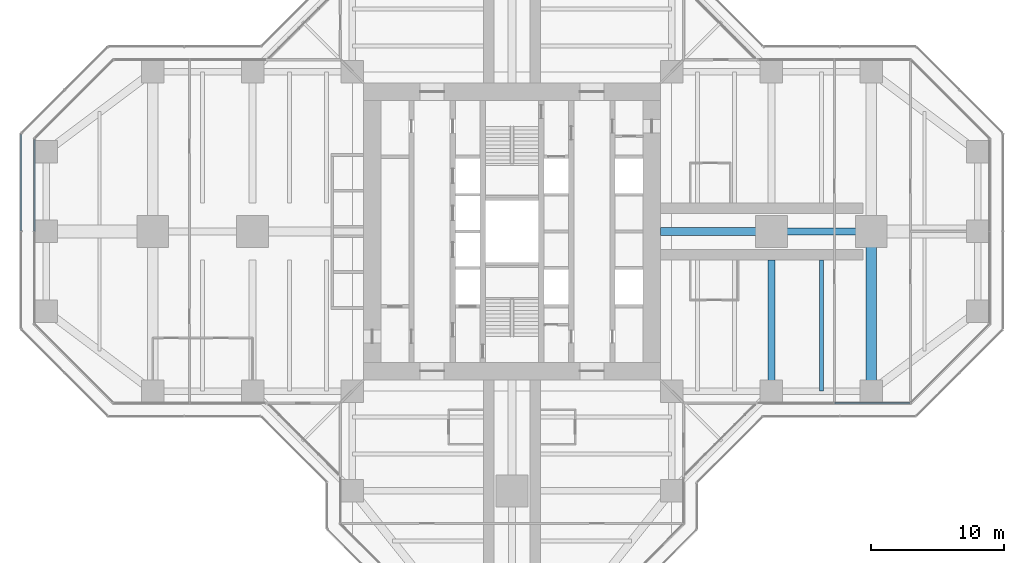
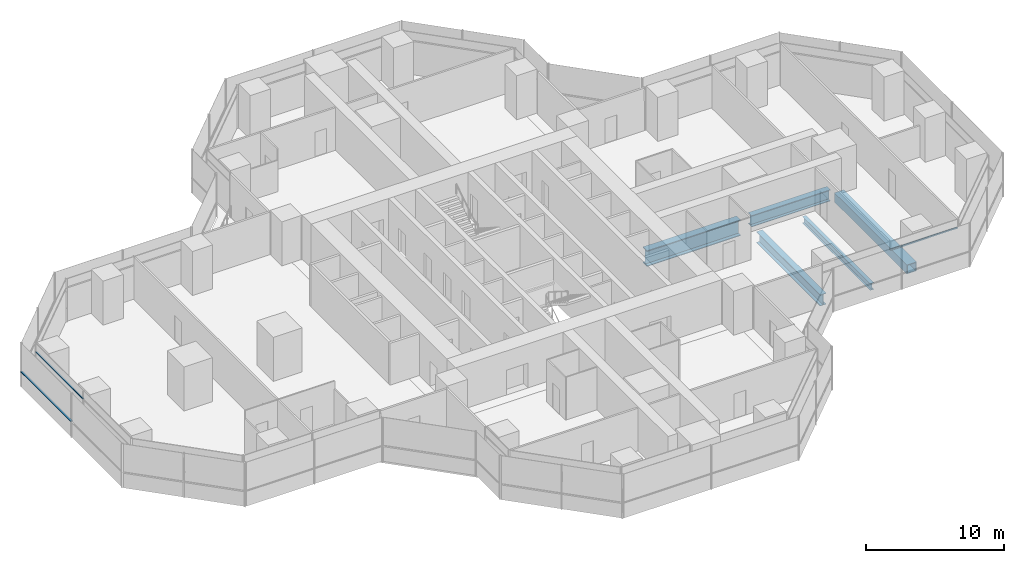
# One storey, part 6 of 20: 5 beams, 3 members, 3 elements without a shape of their own.
"""IFC4 building model written with IfcOpenShell, lengths in metres."""

from ifc_helpers import new_model, si_unit, direction, frame, origin, origin_2d, place, context, subcontext, project, spatial, rectangle, hollow_rectangle, i_section, extrude, material, material_profile, profile_set, type_object, element, aggregate, save


model = new_model("IFC4")

# Units and contexts
model_context = context("Model", 3, precision=1e-05, world=origin(), true_north=direction((0.0, 1.0)))
body_context = subcontext(model_context, "Body", "Model", "MODEL_VIEW")
ifc_project = project(units=[si_unit("LENGTHUNIT", "METRE"), si_unit("AREAUNIT", "SQUARE_METRE"), si_unit("VOLUMEUNIT", "CUBIC_METRE"), si_unit("PLANEANGLEUNIT", "RADIAN"), si_unit("MASSUNIT", "GRAM", prefix="KILO")], contexts=[model_context])

# Site, building, storey
site_placement = place(None, origin())
site = spatial("IfcSite", under=ifc_project, at=site_placement, CompositionType="ELEMENT")
building_placement = place(site_placement, origin())
building = spatial("IfcBuilding", under=site, at=building_placement, Name="Mizan Broadcast Tower", CompositionType="ELEMENT")
storey_placement = place(building_placement, frame((0.0, 0.0, 190.5)))
storey = spatial("IfcBuildingStorey", under=building, at=storey_placement, Name="L44", CompositionType="ELEMENT", Elevation=190.5)

# Beams
ifc_material_1 = material(Name="Steel S460", Category="steel")
ifc_material_profile_1 = material_profile(ifc_material_1, hollow_rectangle(XDim=0.800048828125, YDim=0.800048828125, WallThickness=0.050048828125, at=origin_2d()), Name="BOX 800x800x50")
ifc_profile_set_1 = profile_set([ifc_material_profile_1], Name="Steel S460")
beam_type_1 = type_object("IfcBeamType", Name="GIRDER BOX 800x800x50", PredefinedType="BEAM", material=ifc_profile_set_1)
beam_1_placement = place(storey_placement, frame((27.0, -11.280029296875, -0.530029296875), z_axis=(0.0, 1.0, 0.0), x_axis=(-1.0, 0.0, 0.0)))
element("IfcBeam", 1, at=beam_1_placement, inside=storey, type_object=beam_type_1, Name="Girder BOX 800x800x50 L44 east arm", PredefinedType="BEAM", context=body_context, shape_type="SweptSolid", body=[
    extrude(hollow_rectangle(XDim=0.800048828125, YDim=0.800048828125, WallThickness=0.050048828125, at=origin_2d()), origin(), (0.0, 0.0, 1.0), 10.56005859375),
])
ifc_material_2 = material(Name="Steel S460", Category="steel")
ifc_material_profile_2 = material_profile(ifc_material_2, i_section(OverallWidth=0.5, OverallDepth=1.0, WebThickness=0.02490234375, FlangeThickness=0.050048828125, at=origin_2d()), Name="WPG 1000x500")
ifc_profile_set_2 = profile_set([ifc_material_profile_2], Name="Steel S460")
beam_type_2 = type_object("IfcBeamType", Name="GIRDER WPG 1000x500", PredefinedType="BEAM", material=ifc_profile_set_2)
beam_2_placement = place(storey_placement, frame((19.949951171875, 0.0, -0.6298828125), z_axis=(1.0, 0.0, 0.0), x_axis=(0.0, 1.0, 0.0)))
element("IfcBeam", 2, at=beam_2_placement, inside=storey, type_object=beam_type_2, Name="Girder WPG 1000x500 L44 east arm", PredefinedType="BEAM", context=body_context, shape_type="SweptSolid", body=[
    extrude(i_section(OverallWidth=0.5, OverallDepth=1.0, WebThickness=0.02490234375, FlangeThickness=0.050048828125, at=origin_2d()), origin(), (0.0, 0.0, 1.0), 6.60009765625),
])
beam_3_placement = place(storey_placement, frame((19.5, -11.408935546875, -0.6298828125), z_axis=(0.0, 1.0, 0.0), x_axis=(-1.0, 0.0, 0.0)))
element("IfcBeam", 3, at=beam_3_placement, inside=storey, type_object=beam_type_2, Name="Girder WPG 1000x500 L44 east arm", PredefinedType="BEAM", context=body_context, shape_type="SweptSolid", body=[
    extrude(i_section(OverallWidth=0.5, OverallDepth=1.0, WebThickness=0.02490234375, FlangeThickness=0.050048828125, at=origin_2d()), origin(), (0.0, 0.0, 1.0), 9.259033203125),
])
ifc_material_3 = material(Name="Steel S460", Category="steel")
ifc_material_profile_3 = material_profile(ifc_material_3, i_section(OverallWidth=0.60009765625, OverallDepth=1.39990234375, WebThickness=0.02490234375, FlangeThickness=0.06005859375, at=origin_2d()), Name="WPG 1400x600")
ifc_profile_set_3 = profile_set([ifc_material_profile_3], Name="Steel S460")
beam_type_3 = type_object("IfcBeamType", Name="GIRDER WPG 1400x600", PredefinedType="BEAM", material=ifc_profile_set_3)
beam_4_placement = place(storey_placement, frame((11.14990234375, 0.0, -0.830078125), z_axis=(1.0, 0.0, 0.0), x_axis=(0.0, 1.0, 0.0)))
element("IfcBeam", 4, at=beam_4_placement, inside=storey, type_object=beam_type_3, Name="Girder WPG 1400x600 L44 east arm", PredefinedType="BEAM", context=body_context, shape_type="SweptSolid", body=[
    extrude(i_section(OverallWidth=0.60009765625, OverallDepth=1.39990234375, WebThickness=0.02490234375, FlangeThickness=0.06005859375, at=origin_2d()), origin(), (0.0, 0.0, 1.0), 7.84912109375),
])

# Curtain wall, member
ifc_material_4 = material(Name="Aluminium framed glazing", Category="aluminium")
curtain_wall_type_1 = type_object("IfcCurtainWallType", Name="INNER SKIN MID ZONE", PredefinedType="USERDEFINED", material=ifc_material_4)
curtain_wall_1_placement = place(storey_placement, origin())
curtain_wall_1 = element("IfcCurtainWall", 5, at=curtain_wall_1_placement, inside=storey, type_object=curtain_wall_type_1, Name="Inner skin mid zone L44 E side", ObjectType="INNER SKIN MID ZONE", PredefinedType="USERDEFINED")
ifc_material_5 = material(Name="Aluminium, pale anodised", Category="aluminium")
ifc_material_profile_4 = material_profile(ifc_material_5, rectangle(XDim=0.1201171875, YDim=0.06005859375, at=origin_2d()), Name="TRANSOM 120x60")
ifc_profile_set_4 = profile_set([ifc_material_profile_4], Name="Aluminium, pale anodised")
member_type_1 = type_object("IfcMemberType", Name="INNER SKIN TRANSOM 60x120", PredefinedType="USERDEFINED", material=ifc_profile_set_4)
member_1_placement = place(storey_placement, frame((24.25927734375, -12.89990234375, 3.030029296875), z_axis=(1.0, 0.0, 0.0), x_axis=(0.0, 1.0, 0.0)))
member_1 = element("IfcMember", 6, at=member_1_placement, type_object=member_type_1, Name="Inner skin mid zone L44 E side transom 2.1", ObjectType="TRANSOM", PredefinedType="USERDEFINED", context=body_context, shape_type="SweptSolid", body=[
    extrude(rectangle(XDim=0.1201171875, YDim=0.06005859375, at=origin_2d()), origin(), (0.0, 0.0, 1.0), 5.639404296875),
])
aggregate(curtain_wall_1, [member_1])

curtain_wall_2_placement = place(storey_placement, origin())
curtain_wall_2 = element("IfcCurtainWall", 7, at=curtain_wall_2_placement, inside=storey, type_object=curtain_wall_type_1, Name="Inner skin mid zone L44 W end", ObjectType="INNER SKIN MID ZONE", PredefinedType="USERDEFINED")
member_2_placement = place(storey_placement, frame((-35.89990234375, 6.898681640625, 3.030029296875), z_axis=(0.0, -1.0, 0.0), x_axis=(1.0, 0.0, 0.0)))
member_2 = element("IfcMember", 8, at=member_2_placement, type_object=member_type_1, Name="Inner skin mid zone L44 W end transom 1.1", ObjectType="TRANSOM", PredefinedType="USERDEFINED", context=body_context, shape_type="SweptSolid", body=[
    extrude(rectangle(XDim=0.1201171875, YDim=0.06005859375, at=origin_2d()), origin(), (0.0, 0.0, 1.0), 6.86865234375),
])
aggregate(curtain_wall_2, [member_2])

ifc_material_6 = material(Name="Aluminium framed glazing", Category="aluminium")
curtain_wall_type_2 = type_object("IfcCurtainWallType", Name="OUTER SKIN", PredefinedType="USERDEFINED", material=ifc_material_6)
curtain_wall_3_placement = place(storey_placement, origin())
curtain_wall_3 = element("IfcCurtainWall", 9, at=curtain_wall_3_placement, inside=storey, type_object=curtain_wall_type_2, Name="Outer skin L44 W end", ObjectType="OUTER SKIN", PredefinedType="USERDEFINED")
ifc_material_7 = material(Name="Aluminium, pale anodised", Category="aluminium")
ifc_material_profile_5 = material_profile(ifc_material_7, rectangle(XDim=0.159912109375, YDim=0.06005859375, at=origin_2d()), Name="TRANSOM 160x60")
ifc_profile_set_5 = profile_set([ifc_material_profile_5], Name="Aluminium, pale anodised")
member_type_2 = type_object("IfcMemberType", Name="OUTER SKIN TRANSOM 60x160", PredefinedType="USERDEFINED", material=ifc_profile_set_5)
member_3_placement = place(storey_placement, frame((-36.89990234375, 7.292724609375, 1.39990234375), z_axis=(0.0, -1.0, 0.0), x_axis=(1.0, 0.0, 0.0)))
member_3 = element("IfcMember", 10, at=member_3_placement, type_object=member_type_2, Name="Outer skin L44 W end transom 1.1", ObjectType="TRANSOM", PredefinedType="USERDEFINED", context=body_context, shape_type="SweptSolid", body=[
    extrude(rectangle(XDim=0.159912109375, YDim=0.06005859375, at=origin_2d()), origin(), (0.0, 0.0, 1.0), 7.252685546875),
])
aggregate(curtain_wall_3, [member_3])

# Beam
ifc_material_8 = material(Name="Steel S355", Category="steel")
ifc_material_profile_6 = material_profile(ifc_material_8, i_section(OverallWidth=0.300048828125, OverallDepth=0.590087890625, WebThickness=0.012939453125, FlangeThickness=0.02490234375, FilletRadius=0.027099609375, at=origin_2d()), Name="HEA 600")
ifc_profile_set_6 = profile_set([ifc_material_profile_6], Name="Steel S355")
beam_type_4 = type_object("IfcBeamType", Name="SECONDARY BEAM HEA 600", PredefinedType="JOIST", material=ifc_profile_set_6)
beam_5_placement = place(storey_placement, frame((23.25, -12.0, -0.425048828125), z_axis=(0.0, 1.0, 0.0), x_axis=(-1.0, 0.0, 0.0)))
element("IfcBeam", 11, at=beam_5_placement, inside=storey, type_object=beam_type_4, Name="Secondary beam HEA 600 L44 east arm", PredefinedType="JOIST", context=body_context, shape_type="SweptSolid", body=[
    extrude(i_section(OverallWidth=0.300048828125, OverallDepth=0.590087890625, WebThickness=0.012939453125, FlangeThickness=0.02490234375, FilletRadius=0.027099609375, at=origin_2d()), origin(), (0.0, 0.0, 1.0), 9.85009765625),
])

save(model, "model.ifc")
